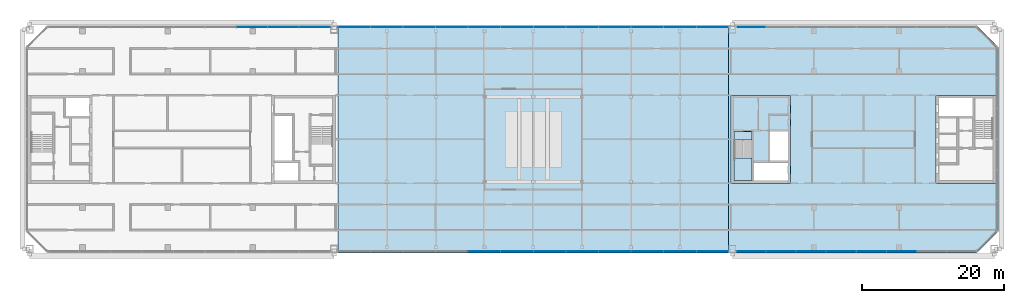
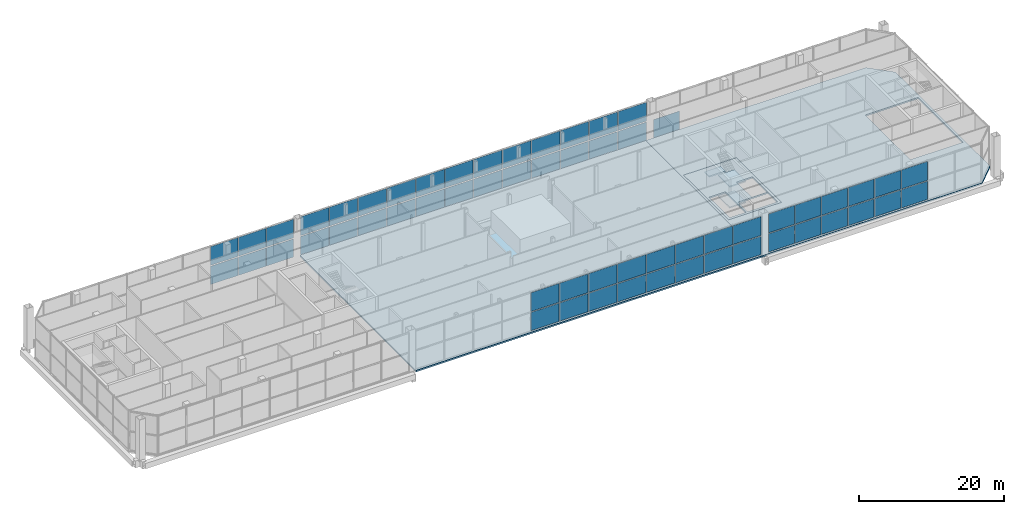
# One storey, part 15 of 27: 59 plates, 6 slabs, 6 elements without a shape of their own.
"""IFC4 building model written with IfcOpenShell, lengths in metres."""

import ifcopenshell
import ifcopenshell.guid

model = None  # the IFC model being written
_history = None  # IfcOwnerHistory: only IFC2X3 demands one
_inside = {}  # id of a spatial element -> (the spatial element, [elements in it])
_under = {}  # id of a project, library or spatial element -> (it, [spatial elements below it])
_declared = {}  # id of a project -> (the project, [libraries it declares])
_typed = {}  # id of a type object -> (the type object, [elements of that type])
_made_of = {}  # id of a material, layer set ... -> (it, [elements and type objects made of it])


def new_model(schema):
    """Start an empty IFC model of exactly this schema.

    Asked for "IFC4X3", IfcOpenShell would pick the latest addendum, in which some entities
    have other attributes; the version numbers below select the first issue.
    IFC2X3 requires an IfcOwnerHistory on every rooted entity: one is made here for all.
    """
    global model, _history
    if schema == "IFC4X3":
        model = ifcopenshell.file(schema_version=(4, 3, 0, 0))
    else:
        model = ifcopenshell.file(schema=schema)
    _inside.clear()
    _under.clear()
    _declared.clear()
    _typed.clear()
    _made_of.clear()
    _history = None
    if model.schema == "IFC2X3":
        org = make("IfcOrganization", Name="unknown")
        user = make(
            "IfcPersonAndOrganization",
            ThePerson=make("IfcPerson", FamilyName="unknown"),
            TheOrganization=org,
        )
        app = make(
            "IfcApplication",
            ApplicationDeveloper=org,
            Version="unknown",
            ApplicationFullName="unknown",
            ApplicationIdentifier="unknown",
        )
        _history = make(
            "IfcOwnerHistory",
            OwningUser=user,
            OwningApplication=app,
            ChangeAction="ADDED",
            CreationDate=0,
        )
    return model


def make(cls, **values):
    """One entity of the class cls with the attributes given. An attribute that is None is left unset."""
    return model.create_entity(
        cls, **{name: value for name, value in values.items() if value is not None}
    )


def rooted(cls, **values):
    """An entity with a GlobalId (a new one), such as an element, a storey or a relation."""
    return make(cls, GlobalId=ifcopenshell.guid.new(), OwnerHistory=_history, **values)


def si_unit(unit_type, name, prefix=None):
    """IfcSIUnit, for example si_unit("LENGTHUNIT", "METRE", prefix="MILLI")."""
    return make("IfcSIUnit", UnitType=unit_type, Prefix=prefix, Name=name)


def assignment(units):
    """IfcUnitAssignment: the units of a project."""
    return None if units is None else make("IfcUnitAssignment", Units=units)


def point(xyz):
    """IfcCartesianPoint."""
    return None if xyz is None else make("IfcCartesianPoint", Coordinates=xyz)


def direction(xyz):
    """IfcDirection."""
    return None if xyz is None else make("IfcDirection", DirectionRatios=xyz)


def frame(location, z_axis=None, x_axis=None):
    """IfcAxis2Placement3D, a coordinate frame: its origin and axes. An axis left out is left unset."""
    return make(
        "IfcAxis2Placement3D",
        Location=point(location),
        Axis=direction(z_axis),
        RefDirection=direction(x_axis),
    )


def frame_2d(location, x_axis=None):
    """IfcAxis2Placement2D, a coordinate frame in the plane: its origin and x axis."""
    return make(
        "IfcAxis2Placement2D", Location=point(location), RefDirection=direction(x_axis)
    )


def origin():
    """The frame at (0, 0, 0) with its axes left unset."""
    return frame((0.0, 0.0, 0.0))


def origin_2d():
    """The frame at (0, 0) in the plane with its x axis left unset."""
    return frame_2d((0.0, 0.0))


def place(relative_to, where):
    """IfcLocalPlacement: puts the frame where relative to a parent placement (None: the world)."""
    return make(
        "IfcLocalPlacement", PlacementRelTo=relative_to, RelativePlacement=where
    )


def context(
    kind, dimensions, precision=None, world=None, true_north=None, identifier=None
):
    """IfcGeometricRepresentationContext, for example the 3D "Model" context."""
    return make(
        "IfcGeometricRepresentationContext",
        ContextIdentifier=identifier,
        ContextType=kind,
        CoordinateSpaceDimension=dimensions,
        Precision=precision,
        WorldCoordinateSystem=world,
        TrueNorth=true_north,
    )


def subcontext(parent, identifier, kind, view, scale=None):
    """IfcGeometricRepresentationSubContext, for example "Body" below "Model"."""
    return make(
        "IfcGeometricRepresentationSubContext",
        ContextIdentifier=identifier,
        ContextType=kind,
        ParentContext=parent,
        TargetScale=scale,
        TargetView=view,
    )


def project(units=None, contexts=None):
    """IfcProject with its units and contexts."""
    return rooted(
        "IfcProject",
        Name="project",
        RepresentationContexts=contexts,
        UnitsInContext=assignment(units),
    )


def spatial(cls, under=None, at=None, **own):
    """A site, building, storey or space (cls), placed at a placement, below another one or the project."""
    s = rooted(cls, ObjectPlacement=at, **own)
    if under is not None:
        _under.setdefault(under.id(), (under, []))[1].append(s)
    return s


def polyline(points):
    """IfcPolyline through the points."""
    return make("IfcPolyline", Points=[point(p) for p in points])


def profile(cls, at=None, kind="AREA", **sizes):
    """A parametric profile (cls). Its sizes go by their IFC names, for example OverallWidth=200.0."""
    return make(cls, ProfileType=kind, Position=at, **sizes)


def rectangle(**sizes):
    """IfcRectangleProfileDef."""
    return profile("IfcRectangleProfileDef", **sizes)


def outline(outer, holes=None, kind="AREA"):
    """IfcArbitraryClosedProfileDef: a profile drawn as a closed curve; with holes, ...WithVoids."""
    if holes is None:
        return make("IfcArbitraryClosedProfileDef", ProfileType=kind, OuterCurve=outer)
    return make(
        "IfcArbitraryProfileDefWithVoids",
        ProfileType=kind,
        OuterCurve=outer,
        InnerCurves=holes,
    )


def extrude(swept, where, along, depth):
    """IfcExtrudedAreaSolid: the profile swept, set in the frame where, extruded along a direction by depth."""
    return make(
        "IfcExtrudedAreaSolid",
        SweptArea=swept,
        Position=where,
        ExtrudedDirection=direction(along),
        Depth=depth,
    )


def shape(context_of_items, identifier, shape_type, items):
    """IfcShapeRepresentation: the items that make up one representation, for example the "Body"."""
    return make(
        "IfcShapeRepresentation",
        ContextOfItems=context_of_items,
        RepresentationIdentifier=identifier,
        RepresentationType=shape_type,
        Items=items,
    )


def material(Name=None, Category=None):
    """IfcMaterial."""
    return make("IfcMaterial", Name=Name, Category=Category)


def layer(
    of_material, thickness, ventilated=None, Name=None, Category=None, Priority=None
):
    """IfcMaterialLayer: one layer of a wall or slab, of a material (None: an air gap)."""
    return make(
        "IfcMaterialLayer",
        Material=of_material,
        LayerThickness=thickness,
        IsVentilated=ventilated,
        Name=Name,
        Category=Category,
        Priority=Priority,
    )


def layer_set(layers, Name=None):
    """IfcMaterialLayerSet."""
    return make("IfcMaterialLayerSet", MaterialLayers=layers, LayerSetName=Name)


def made_of(thing, what):
    """Note that an element or type object is made of a material, layer set ...; save() writes the relation."""
    if what is not None:
        _made_of.setdefault(what.id(), (what, []))[1].append(thing)
    return thing


def type_object(cls, material=None, **own):
    """A type object (cls), such as IfcWallType, which elements share."""
    return made_of(rooted(cls, **own), material)


def element(
    cls,
    number,
    at=None,
    inside=None,
    cuts=None,
    type_object=None,
    material=None,
    context=None,
    identifier="Body",
    shape_type=None,
    held_by="IfcProductDefinitionShape",
    body=None,
    shapes=None,
    **own,
):
    """One element of the class cls, such as IfcWall. Its Tag is "e" and its number.

    at: its placement. inside: the storey or other place that contains it. cuts: it is an
    opening in that element (IfcRelVoidsElement). A single representation is given by context,
    identifier, shape_type and body (its items); several are given by shapes. held_by: the class
    of the entity that holds the representations. save() writes the other relations.
    """
    e = rooted(cls, Tag="e%d" % number, ObjectPlacement=at, **own)
    if body is not None:
        shapes = [shape(context, identifier, shape_type, body)]
    if shapes is not None:
        e.Representation = make(held_by, Representations=shapes)
    if inside is not None:
        _inside.setdefault(inside.id(), (inside, []))[1].append(e)
    if cuts is not None:
        rooted(
            "IfcRelVoidsElement", RelatingBuildingElement=cuts, RelatedOpeningElement=e
        )
    if type_object is not None:
        _typed.setdefault(type_object.id(), (type_object, []))[1].append(e)
    return made_of(e, material)


def aggregate(whole, parts):
    """IfcRelAggregates: a whole, such as a stair, and the parts it consists of."""
    return rooted("IfcRelAggregates", RelatingObject=whole, RelatedObjects=parts)


def save(model, path):
    """Write the relations noted so far, then the file.

    IfcRelAggregates (storeys below a building ...), IfcRelContainedInSpatialStructure (elements
    in a storey), IfcRelDefinesByType, IfcRelAssociatesMaterial and IfcRelDeclares: one each for
    every whole, place, type object, material and project.
    """
    for whole, parts in _under.values():
        aggregate(whole, parts)
    for where, things in _inside.values():
        rooted(
            "IfcRelContainedInSpatialStructure",
            RelatedElements=things,
            RelatingStructure=where,
        )
    for kind, things in _typed.values():
        rooted("IfcRelDefinesByType", RelatedObjects=things, RelatingType=kind)
    for what, things in _made_of.values():
        rooted("IfcRelAssociatesMaterial", RelatedObjects=things, RelatingMaterial=what)
    for by, libraries in _declared.values():
        rooted("IfcRelDeclares", RelatingContext=by, RelatedDefinitions=libraries)
    model.write(path)


model = new_model("IFC4")

# Units and contexts
model_context = context("Model", 3, precision=1e-05, world=origin(), true_north=direction((0.0, 1.0)))
body_context = subcontext(model_context, "Body", "Model", "MODEL_VIEW")
ifc_project = project(units=[si_unit("LENGTHUNIT", "METRE"), si_unit("AREAUNIT", "SQUARE_METRE"), si_unit("VOLUMEUNIT", "CUBIC_METRE"), si_unit("PLANEANGLEUNIT", "RADIAN"), si_unit("MASSUNIT", "GRAM", prefix="KILO")], contexts=[model_context])

# Site, building, storey
site_placement = place(None, origin())
site = spatial("IfcSite", under=ifc_project, at=site_placement, CompositionType="ELEMENT")
building_placement = place(site_placement, origin())
building = spatial("IfcBuilding", under=site, at=building_placement, Name="Tuart Gate Housing", CompositionType="ELEMENT")
storey_placement = place(building_placement, frame((0.0, 0.0, 236.89990234375)))
storey = spatial("IfcBuildingStorey", under=building, at=storey_placement, Name="L67", CompositionType="ELEMENT", Elevation=236.89990234375)

# Slabs
ifc_material_1 = material(Name="Concrete C40", Category="concrete")
ifc_layer_1 = layer(ifc_material_1, 0.25)
ifc_layer_set_1 = layer_set([ifc_layer_1], Name="Core floor slab 250")
slab_type_1 = type_object("IfcSlabType", Name="Core floor slab 250", PredefinedType="FLOOR", material=ifc_layer_set_1)
slab_1_placement = place(storey_placement, frame((0.0, 0.0, -0.25)))
element("IfcSlab", 1, at=slab_1_placement, inside=storey, type_object=slab_type_1, Name="Core floor BG", PredefinedType="FLOOR", context=body_context, shape_type="SweptSolid", body=[
    extrude(outline(polyline([(131.360107421875, 63.800048828125), (139.760009765625, 63.800048828125), (139.760009765625, 76.199951171875), (131.360107421875, 76.199951171875), (131.360107421875, 63.800048828125)]), holes=[polyline([(139.360107421875, 66.85009765625), (134.5849609375, 66.85009765625), (134.5849609375, 64.199951171875), (139.360107421875, 64.199951171875), (139.360107421875, 66.85009765625)]), polyline([(139.360107421875, 71.125), (136.8349609375, 71.125), (136.8349609375, 66.97509765625), (139.360107421875, 66.97509765625), (139.360107421875, 71.125)]), polyline([(134.3349609375, 69.85498046875), (131.760009765625, 69.85498046875), (131.760009765625, 64.199951171875), (134.3349609375, 64.199951171875), (134.3349609375, 69.85498046875)])]), origin(), (0.0, 0.0, 1.0), 0.25),
])
ifc_material_2 = material(Name="Concrete C40", Category="concrete")
ifc_layer_2 = layer(ifc_material_2, 0.25)
ifc_layer_set_2 = layer_set([ifc_layer_2], Name="Flat plate 250")
slab_type_2 = type_object("IfcSlabType", Name="Flat plate 250", PredefinedType="FLOOR", material=ifc_layer_set_2)
slab_2_placement = place(storey_placement, frame((0.0, 0.0, -0.25)))
element("IfcSlab", 2, at=slab_2_placement, inside=storey, type_object=slab_type_2, Name="Floor slab B L67", PredefinedType="FLOOR", context=body_context, shape_type="SweptSolid", body=[
    extrude(outline(polyline([(166.0, 86.0), (131.0, 86.0), (131.0, 54.0), (166.0, 54.0), (169.0, 57.0), (169.0, 83.0), (166.0, 86.0)]), holes=[polyline([(131.360107421875, 76.199951171875), (139.760009765625, 76.199951171875), (139.760009765625, 63.800048828125), (131.360107421875, 63.800048828125), (131.360107421875, 76.199951171875)]), polyline([(168.639892578125, 76.199951171875), (168.639892578125, 63.800048828125), (160.239990234375, 63.800048828125), (160.239990234375, 76.199951171875), (168.639892578125, 76.199951171875)])]), origin(), (0.0, 0.0, 1.0), 0.25),
])
slab_3_placement = place(storey_placement, frame((0.0, 0.0, -0.25)))
element("IfcSlab", 3, at=slab_3_placement, inside=storey, type_object=slab_type_2, Name="Link floor slab L67", PredefinedType="FLOOR", context=body_context, shape_type="SweptSolid", body=[
    extrude(outline(polyline([(76.0, 54.0), (131.0, 54.0), (131.0, 86.0), (76.0, 86.0), (76.0, 54.0)])), origin(), (0.0, 0.0, 1.0), 0.25),
])

# Curtain wall, plates
ifc_material_3 = material(Name="Aluminium and clear glass", Category="aluminium")
curtain_wall_type = type_object("IfcCurtainWallType", Name="Damper floor glazing", PredefinedType="USERDEFINED", material=ifc_material_3)
curtain_wall_1_placement = place(storey_placement, origin())
curtain_wall_1 = element("IfcCurtainWall", 4, at=curtain_wall_1_placement, inside=storey, type_object=curtain_wall_type, Name="Damper floor glazing BLK-S L67", ObjectType="DAMPER FLOOR GLAZING", PredefinedType="USERDEFINED")
ifc_material_4 = material(Name="Glass, damper floor glazing", Category="glass")
ifc_layer_3 = layer(ifc_material_4, 0.028076171875)
ifc_layer_set_3 = layer_set([ifc_layer_3], Name="Glazed panel 28 damper floor")
plate_type = type_object("IfcPlateType", Name="Glazed panel 28 damper floor", PredefinedType="CURTAIN_PANEL", material=ifc_layer_set_3)
plate_1_placement = place(storey_placement, frame((96.612548828125, 54.179931640625, 0.16015625), z_axis=(0.0, 0.0, 1.0), x_axis=(1.0, 0.0, 0.0)))
plate_1 = element("IfcPlate", 5, at=plate_1_placement, type_object=plate_type, Name="CW5 panel 5.1", PredefinedType="CURTAIN_PANEL", context=body_context, shape_type="SweptSolid", body=[
    extrude(rectangle(XDim=4.51171875, YDim=0.028076171875, at=origin_2d()), origin(), (0.0, 0.0, 1.0), 3.06005859375),
])
plate_2_placement = place(storey_placement, frame((96.612548828125, 54.179931640625, 3.38037109375), z_axis=(0.0, 0.0, 1.0), x_axis=(1.0, 0.0, 0.0)))
plate_2 = element("IfcPlate", 6, at=plate_2_placement, type_object=plate_type, Name="CW5 panel 5.2", PredefinedType="CURTAIN_PANEL", context=body_context, shape_type="SweptSolid", body=[
    extrude(rectangle(XDim=4.51171875, YDim=0.028076171875, at=origin_2d()), origin(), (0.0, 0.0, 1.0), 3.159912109375),
])
plate_3_placement = place(storey_placement, frame((101.2041015625, 54.179931640625, 0.16015625), z_axis=(0.0, 0.0, 1.0), x_axis=(1.0, 0.0, 0.0)))
plate_3 = element("IfcPlate", 7, at=plate_3_placement, type_object=plate_type, Name="CW5 panel 6.1", PredefinedType="CURTAIN_PANEL", context=body_context, shape_type="SweptSolid", body=[
    extrude(rectangle(XDim=4.51171875, YDim=0.028076171875, at=origin_2d()), origin(), (0.0, 0.0, 1.0), 3.06005859375),
])
plate_4_placement = place(storey_placement, frame((101.2041015625, 54.179931640625, 3.38037109375), z_axis=(0.0, 0.0, 1.0), x_axis=(1.0, 0.0, 0.0)))
plate_4 = element("IfcPlate", 8, at=plate_4_placement, type_object=plate_type, Name="CW5 panel 6.2", PredefinedType="CURTAIN_PANEL", context=body_context, shape_type="SweptSolid", body=[
    extrude(rectangle(XDim=4.51171875, YDim=0.028076171875, at=origin_2d()), origin(), (0.0, 0.0, 1.0), 3.159912109375),
])
plate_5_placement = place(storey_placement, frame((105.7958984375, 54.179931640625, 0.16015625), z_axis=(0.0, 0.0, 1.0), x_axis=(1.0, 0.0, 0.0)))
plate_5 = element("IfcPlate", 9, at=plate_5_placement, type_object=plate_type, Name="CW5 panel 7.1", PredefinedType="CURTAIN_PANEL", context=body_context, shape_type="SweptSolid", body=[
    extrude(rectangle(XDim=4.51171875, YDim=0.028076171875, at=origin_2d()), origin(), (0.0, 0.0, 1.0), 3.06005859375),
])
plate_6_placement = place(storey_placement, frame((105.7958984375, 54.179931640625, 3.38037109375), z_axis=(0.0, 0.0, 1.0), x_axis=(1.0, 0.0, 0.0)))
plate_6 = element("IfcPlate", 10, at=plate_6_placement, type_object=plate_type, Name="CW5 panel 7.2", PredefinedType="CURTAIN_PANEL", context=body_context, shape_type="SweptSolid", body=[
    extrude(rectangle(XDim=4.51171875, YDim=0.028076171875, at=origin_2d()), origin(), (0.0, 0.0, 1.0), 3.159912109375),
])
plate_7_placement = place(storey_placement, frame((110.387451171875, 54.179931640625, 0.16015625), z_axis=(0.0, 0.0, 1.0), x_axis=(1.0, 0.0, 0.0)))
plate_7 = element("IfcPlate", 11, at=plate_7_placement, type_object=plate_type, Name="CW5 panel 8.1", PredefinedType="CURTAIN_PANEL", context=body_context, shape_type="SweptSolid", body=[
    extrude(rectangle(XDim=4.51171875, YDim=0.028076171875, at=origin_2d()), origin(), (0.0, 0.0, 1.0), 3.06005859375),
])
plate_8_placement = place(storey_placement, frame((110.387451171875, 54.179931640625, 3.38037109375), z_axis=(0.0, 0.0, 1.0), x_axis=(1.0, 0.0, 0.0)))
plate_8 = element("IfcPlate", 12, at=plate_8_placement, type_object=plate_type, Name="CW5 panel 8.2", PredefinedType="CURTAIN_PANEL", context=body_context, shape_type="SweptSolid", body=[
    extrude(rectangle(XDim=4.51171875, YDim=0.028076171875, at=origin_2d()), origin(), (0.0, 0.0, 1.0), 3.159912109375),
])
plate_9_placement = place(storey_placement, frame((114.979248046875, 54.179931640625, 0.16015625), z_axis=(0.0, 0.0, 1.0), x_axis=(1.0, 0.0, 0.0)))
plate_9 = element("IfcPlate", 13, at=plate_9_placement, type_object=plate_type, Name="CW5 panel 9.1", PredefinedType="CURTAIN_PANEL", context=body_context, shape_type="SweptSolid", body=[
    extrude(rectangle(XDim=4.51171875, YDim=0.028076171875, at=origin_2d()), origin(), (0.0, 0.0, 1.0), 3.06005859375),
])
plate_10_placement = place(storey_placement, frame((114.979248046875, 54.179931640625, 3.38037109375), z_axis=(0.0, 0.0, 1.0), x_axis=(1.0, 0.0, 0.0)))
plate_10 = element("IfcPlate", 14, at=plate_10_placement, type_object=plate_type, Name="CW5 panel 9.2", PredefinedType="CURTAIN_PANEL", context=body_context, shape_type="SweptSolid", body=[
    extrude(rectangle(XDim=4.51171875, YDim=0.028076171875, at=origin_2d()), origin(), (0.0, 0.0, 1.0), 3.159912109375),
])
plate_11_placement = place(storey_placement, frame((119.57080078125, 54.179931640625, 0.16015625), z_axis=(0.0, 0.0, 1.0), x_axis=(1.0, 0.0, 0.0)))
plate_11 = element("IfcPlate", 15, at=plate_11_placement, type_object=plate_type, Name="CW5 panel 10.1", PredefinedType="CURTAIN_PANEL", context=body_context, shape_type="SweptSolid", body=[
    extrude(rectangle(XDim=4.51171875, YDim=0.028076171875, at=origin_2d()), origin(), (0.0, 0.0, 1.0), 3.06005859375),
])
plate_12_placement = place(storey_placement, frame((119.57080078125, 54.179931640625, 3.38037109375), z_axis=(0.0, 0.0, 1.0), x_axis=(1.0, 0.0, 0.0)))
plate_12 = element("IfcPlate", 16, at=plate_12_placement, type_object=plate_type, Name="CW5 panel 10.2", PredefinedType="CURTAIN_PANEL", context=body_context, shape_type="SweptSolid", body=[
    extrude(rectangle(XDim=4.51171875, YDim=0.028076171875, at=origin_2d()), origin(), (0.0, 0.0, 1.0), 3.159912109375),
])
plate_13_placement = place(storey_placement, frame((124.16259765625, 54.179931640625, 0.16015625), z_axis=(0.0, 0.0, 1.0), x_axis=(1.0, 0.0, 0.0)))
plate_13 = element("IfcPlate", 17, at=plate_13_placement, type_object=plate_type, Name="CW5 panel 11.1", PredefinedType="CURTAIN_PANEL", context=body_context, shape_type="SweptSolid", body=[
    extrude(rectangle(XDim=4.51171875, YDim=0.028076171875, at=origin_2d()), origin(), (0.0, 0.0, 1.0), 3.06005859375),
])
plate_14_placement = place(storey_placement, frame((124.16259765625, 54.179931640625, 3.38037109375), z_axis=(0.0, 0.0, 1.0), x_axis=(1.0, 0.0, 0.0)))
plate_14 = element("IfcPlate", 18, at=plate_14_placement, type_object=plate_type, Name="CW5 panel 11.2", PredefinedType="CURTAIN_PANEL", context=body_context, shape_type="SweptSolid", body=[
    extrude(rectangle(XDim=4.51171875, YDim=0.028076171875, at=origin_2d()), origin(), (0.0, 0.0, 1.0), 3.159912109375),
])
plate_15_placement = place(storey_placement, frame((128.734130859375, 54.179931640625, 0.16015625), z_axis=(0.0, 0.0, 1.0), x_axis=(1.0, 0.0, 0.0)))
plate_15 = element("IfcPlate", 19, at=plate_15_placement, type_object=plate_type, Name="CW5 panel 12.1", PredefinedType="CURTAIN_PANEL", context=body_context, shape_type="SweptSolid", body=[
    extrude(rectangle(XDim=4.4716796875, YDim=0.028076171875, at=origin_2d()), origin(), (0.0, 0.0, 1.0), 3.06005859375),
])
plate_16_placement = place(storey_placement, frame((128.734130859375, 54.179931640625, 3.38037109375), z_axis=(0.0, 0.0, 1.0), x_axis=(1.0, 0.0, 0.0)))
plate_16 = element("IfcPlate", 20, at=plate_16_placement, type_object=plate_type, Name="CW5 panel 12.2", PredefinedType="CURTAIN_PANEL", context=body_context, shape_type="SweptSolid", body=[
    extrude(rectangle(XDim=4.4716796875, YDim=0.028076171875, at=origin_2d()), origin(), (0.0, 0.0, 1.0), 3.159912109375),
])
aggregate(curtain_wall_1, [plate_1, plate_2, plate_3, plate_4, plate_5, plate_6, plate_7, plate_8, plate_9, plate_10, plate_11, plate_12, plate_13, plate_14, plate_15, plate_16])

curtain_wall_2_placement = place(storey_placement, origin())
curtain_wall_2 = element("IfcCurtainWall", 21, at=curtain_wall_2_placement, inside=storey, type_object=curtain_wall_type, Name="Damper floor glazing BLK-S L67", ObjectType="DAMPER FLOOR GLAZING", PredefinedType="USERDEFINED")
plate_17_placement = place(storey_placement, frame((134.187255859375, 54.179931640625, 0.16015625), z_axis=(0.0, 0.0, 1.0), x_axis=(1.0, 0.0, 0.0)))
plate_17 = element("IfcPlate", 22, at=plate_17_placement, type_object=plate_type, Name="CW5 panel 1.1", PredefinedType="CURTAIN_PANEL", context=body_context, shape_type="SweptSolid", body=[
    extrude(rectangle(XDim=4.114501953125, YDim=0.028076171875, at=origin_2d()), origin(), (0.0, 0.0, 1.0), 3.06005859375),
])
plate_18_placement = place(storey_placement, frame((134.187255859375, 54.179931640625, 3.38037109375), z_axis=(0.0, 0.0, 1.0), x_axis=(1.0, 0.0, 0.0)))
plate_18 = element("IfcPlate", 23, at=plate_18_placement, type_object=plate_type, Name="CW5 panel 1.2", PredefinedType="CURTAIN_PANEL", context=body_context, shape_type="SweptSolid", body=[
    extrude(rectangle(XDim=4.114501953125, YDim=0.028076171875, at=origin_2d()), origin(), (0.0, 0.0, 1.0), 3.159912109375),
])
plate_19_placement = place(storey_placement, frame((138.401611328125, 54.179931640625, 0.16015625), z_axis=(0.0, 0.0, 1.0), x_axis=(1.0, 0.0, 0.0)))
plate_19 = element("IfcPlate", 24, at=plate_19_placement, type_object=plate_type, Name="CW5 panel 2.1", PredefinedType="CURTAIN_PANEL", context=body_context, shape_type="SweptSolid", body=[
    extrude(rectangle(XDim=4.154541015625, YDim=0.028076171875, at=origin_2d()), origin(), (0.0, 0.0, 1.0), 3.06005859375),
])
plate_20_placement = place(storey_placement, frame((138.401611328125, 54.179931640625, 3.38037109375), z_axis=(0.0, 0.0, 1.0), x_axis=(1.0, 0.0, 0.0)))
plate_20 = element("IfcPlate", 25, at=plate_20_placement, type_object=plate_type, Name="CW5 panel 2.2", PredefinedType="CURTAIN_PANEL", context=body_context, shape_type="SweptSolid", body=[
    extrude(rectangle(XDim=4.154541015625, YDim=0.028076171875, at=origin_2d()), origin(), (0.0, 0.0, 1.0), 3.159912109375),
])
plate_21_placement = place(storey_placement, frame((142.635986328125, 54.179931640625, 0.16015625), z_axis=(0.0, 0.0, 1.0), x_axis=(1.0, 0.0, 0.0)))
plate_21 = element("IfcPlate", 26, at=plate_21_placement, type_object=plate_type, Name="CW5 panel 3.1", PredefinedType="CURTAIN_PANEL", context=body_context, shape_type="SweptSolid", body=[
    extrude(rectangle(XDim=4.154541015625, YDim=0.028076171875, at=origin_2d()), origin(), (0.0, 0.0, 1.0), 3.06005859375),
])
plate_22_placement = place(storey_placement, frame((142.635986328125, 54.179931640625, 3.38037109375), z_axis=(0.0, 0.0, 1.0), x_axis=(1.0, 0.0, 0.0)))
plate_22 = element("IfcPlate", 27, at=plate_22_placement, type_object=plate_type, Name="CW5 panel 3.2", PredefinedType="CURTAIN_PANEL", context=body_context, shape_type="SweptSolid", body=[
    extrude(rectangle(XDim=4.154541015625, YDim=0.028076171875, at=origin_2d()), origin(), (0.0, 0.0, 1.0), 3.159912109375),
])
plate_23_placement = place(storey_placement, frame((146.87060546875, 54.179931640625, 0.16015625), z_axis=(0.0, 0.0, 1.0), x_axis=(1.0, 0.0, 0.0)))
plate_23 = element("IfcPlate", 28, at=plate_23_placement, type_object=plate_type, Name="CW5 panel 4.1", PredefinedType="CURTAIN_PANEL", context=body_context, shape_type="SweptSolid", body=[
    extrude(rectangle(XDim=4.154541015625, YDim=0.028076171875, at=origin_2d()), origin(), (0.0, 0.0, 1.0), 3.06005859375),
])
plate_24_placement = place(storey_placement, frame((146.87060546875, 54.179931640625, 3.38037109375), z_axis=(0.0, 0.0, 1.0), x_axis=(1.0, 0.0, 0.0)))
plate_24 = element("IfcPlate", 29, at=plate_24_placement, type_object=plate_type, Name="CW5 panel 4.2", PredefinedType="CURTAIN_PANEL", context=body_context, shape_type="SweptSolid", body=[
    extrude(rectangle(XDim=4.154541015625, YDim=0.028076171875, at=origin_2d()), origin(), (0.0, 0.0, 1.0), 3.159912109375),
])
plate_25_placement = place(storey_placement, frame((151.10498046875, 54.179931640625, 0.16015625), z_axis=(0.0, 0.0, 1.0), x_axis=(1.0, 0.0, 0.0)))
plate_25 = element("IfcPlate", 30, at=plate_25_placement, type_object=plate_type, Name="CW5 panel 5.1", PredefinedType="CURTAIN_PANEL", context=body_context, shape_type="SweptSolid", body=[
    extrude(rectangle(XDim=4.154541015625, YDim=0.028076171875, at=origin_2d()), origin(), (0.0, 0.0, 1.0), 3.06005859375),
])
plate_26_placement = place(storey_placement, frame((151.10498046875, 54.179931640625, 3.38037109375), z_axis=(0.0, 0.0, 1.0), x_axis=(1.0, 0.0, 0.0)))
plate_26 = element("IfcPlate", 31, at=plate_26_placement, type_object=plate_type, Name="CW5 panel 5.2", PredefinedType="CURTAIN_PANEL", context=body_context, shape_type="SweptSolid", body=[
    extrude(rectangle(XDim=4.154541015625, YDim=0.028076171875, at=origin_2d()), origin(), (0.0, 0.0, 1.0), 3.159912109375),
])
plate_27_placement = place(storey_placement, frame((155.33935546875, 54.179931640625, 0.16015625), z_axis=(0.0, 0.0, 1.0), x_axis=(1.0, 0.0, 0.0)))
plate_27 = element("IfcPlate", 32, at=plate_27_placement, type_object=plate_type, Name="CW5 panel 6.1", PredefinedType="CURTAIN_PANEL", context=body_context, shape_type="SweptSolid", body=[
    extrude(rectangle(XDim=4.154541015625, YDim=0.028076171875, at=origin_2d()), origin(), (0.0, 0.0, 1.0), 3.06005859375),
])
plate_28_placement = place(storey_placement, frame((155.33935546875, 54.179931640625, 3.38037109375), z_axis=(0.0, 0.0, 1.0), x_axis=(1.0, 0.0, 0.0)))
plate_28 = element("IfcPlate", 33, at=plate_28_placement, type_object=plate_type, Name="CW5 panel 6.2", PredefinedType="CURTAIN_PANEL", context=body_context, shape_type="SweptSolid", body=[
    extrude(rectangle(XDim=4.154541015625, YDim=0.028076171875, at=origin_2d()), origin(), (0.0, 0.0, 1.0), 3.159912109375),
])
aggregate(curtain_wall_2, [plate_17, plate_18, plate_19, plate_20, plate_21, plate_22, plate_23, plate_24, plate_25, plate_26, plate_27, plate_28])

# Curtain wall, plate
curtain_wall_3_placement = place(storey_placement, origin())
curtain_wall_3 = element("IfcCurtainWall", 34, at=curtain_wall_3_placement, inside=storey, type_object=curtain_wall_type, Name="Damper floor glazing BLK-N L67", ObjectType="DAMPER FLOOR GLAZING", PredefinedType="USERDEFINED")
plate_29_placement = place(storey_placement, frame((134.187255859375, 85.820068359375, 0.16015625), z_axis=(0.0, 0.0, 1.0), x_axis=(-1.0, 0.0, 0.0)))
plate_29 = element("IfcPlate", 35, at=plate_29_placement, type_object=plate_type, Name="CW5 panel 8.1", PredefinedType="CURTAIN_PANEL", context=body_context, shape_type="SweptSolid", body=[
    extrude(rectangle(XDim=4.114501953125, YDim=0.028076171875, at=origin_2d()), origin(), (0.0, 0.0, 1.0), 3.06005859375),
])
aggregate(curtain_wall_3, [plate_29])

# Curtain wall, plates
curtain_wall_4_placement = place(storey_placement, origin())
curtain_wall_4 = element("IfcCurtainWall", 36, at=curtain_wall_4_placement, inside=storey, type_object=curtain_wall_type, Name="Damper floor glazing BLK-N L67", ObjectType="DAMPER FLOOR GLAZING", PredefinedType="USERDEFINED")
plate_30_placement = place(storey_placement, frame((128.734130859375, 85.820068359375, 0.16015625), z_axis=(0.0, 0.0, 1.0), x_axis=(-1.0, 0.0, 0.0)))
plate_30 = element("IfcPlate", 37, at=plate_30_placement, type_object=plate_type, Name="CW5 panel 1.1", PredefinedType="CURTAIN_PANEL", context=body_context, shape_type="SweptSolid", body=[
    extrude(rectangle(XDim=4.4716796875, YDim=0.028076171875, at=origin_2d()), origin(), (0.0, 0.0, 1.0), 3.06005859375),
])
plate_31_placement = place(storey_placement, frame((128.734130859375, 85.820068359375, 3.38037109375), z_axis=(0.0, 0.0, 1.0), x_axis=(-1.0, 0.0, 0.0)))
plate_31 = element("IfcPlate", 38, at=plate_31_placement, type_object=plate_type, Name="CW5 panel 1.2", PredefinedType="CURTAIN_PANEL", context=body_context, shape_type="SweptSolid", body=[
    extrude(rectangle(XDim=4.4716796875, YDim=0.028076171875, at=origin_2d()), origin(), (0.0, 0.0, 1.0), 3.159912109375),
])
plate_32_placement = place(storey_placement, frame((124.16259765625, 85.820068359375, 0.16015625), z_axis=(0.0, 0.0, 1.0), x_axis=(-1.0, 0.0, 0.0)))
plate_32 = element("IfcPlate", 39, at=plate_32_placement, type_object=plate_type, Name="CW5 panel 2.1", PredefinedType="CURTAIN_PANEL", context=body_context, shape_type="SweptSolid", body=[
    extrude(rectangle(XDim=4.51171875, YDim=0.028076171875, at=origin_2d()), origin(), (0.0, 0.0, 1.0), 3.06005859375),
])
plate_33_placement = place(storey_placement, frame((124.16259765625, 85.820068359375, 3.38037109375), z_axis=(0.0, 0.0, 1.0), x_axis=(-1.0, 0.0, 0.0)))
plate_33 = element("IfcPlate", 40, at=plate_33_placement, type_object=plate_type, Name="CW5 panel 2.2", PredefinedType="CURTAIN_PANEL", context=body_context, shape_type="SweptSolid", body=[
    extrude(rectangle(XDim=4.51171875, YDim=0.028076171875, at=origin_2d()), origin(), (0.0, 0.0, 1.0), 3.159912109375),
])
plate_34_placement = place(storey_placement, frame((119.57080078125, 85.820068359375, 0.16015625), z_axis=(0.0, 0.0, 1.0), x_axis=(-1.0, 0.0, 0.0)))
plate_34 = element("IfcPlate", 41, at=plate_34_placement, type_object=plate_type, Name="CW5 panel 3.1", PredefinedType="CURTAIN_PANEL", context=body_context, shape_type="SweptSolid", body=[
    extrude(rectangle(XDim=4.51171875, YDim=0.028076171875, at=origin_2d()), origin(), (0.0, 0.0, 1.0), 3.06005859375),
])
plate_35_placement = place(storey_placement, frame((119.57080078125, 85.820068359375, 3.38037109375), z_axis=(0.0, 0.0, 1.0), x_axis=(-1.0, 0.0, 0.0)))
plate_35 = element("IfcPlate", 42, at=plate_35_placement, type_object=plate_type, Name="CW5 panel 3.2", PredefinedType="CURTAIN_PANEL", context=body_context, shape_type="SweptSolid", body=[
    extrude(rectangle(XDim=4.51171875, YDim=0.028076171875, at=origin_2d()), origin(), (0.0, 0.0, 1.0), 3.159912109375),
])
plate_36_placement = place(storey_placement, frame((114.979248046875, 85.820068359375, 0.16015625), z_axis=(0.0, 0.0, 1.0), x_axis=(-1.0, 0.0, 0.0)))
plate_36 = element("IfcPlate", 43, at=plate_36_placement, type_object=plate_type, Name="CW5 panel 4.1", PredefinedType="CURTAIN_PANEL", context=body_context, shape_type="SweptSolid", body=[
    extrude(rectangle(XDim=4.51171875, YDim=0.028076171875, at=origin_2d()), origin(), (0.0, 0.0, 1.0), 3.06005859375),
])
plate_37_placement = place(storey_placement, frame((114.979248046875, 85.820068359375, 3.38037109375), z_axis=(0.0, 0.0, 1.0), x_axis=(-1.0, 0.0, 0.0)))
plate_37 = element("IfcPlate", 44, at=plate_37_placement, type_object=plate_type, Name="CW5 panel 4.2", PredefinedType="CURTAIN_PANEL", context=body_context, shape_type="SweptSolid", body=[
    extrude(rectangle(XDim=4.51171875, YDim=0.028076171875, at=origin_2d()), origin(), (0.0, 0.0, 1.0), 3.159912109375),
])
plate_38_placement = place(storey_placement, frame((110.387451171875, 85.820068359375, 0.16015625), z_axis=(0.0, 0.0, 1.0), x_axis=(-1.0, 0.0, 0.0)))
plate_38 = element("IfcPlate", 45, at=plate_38_placement, type_object=plate_type, Name="CW5 panel 5.1", PredefinedType="CURTAIN_PANEL", context=body_context, shape_type="SweptSolid", body=[
    extrude(rectangle(XDim=4.51171875, YDim=0.028076171875, at=origin_2d()), origin(), (0.0, 0.0, 1.0), 3.06005859375),
])
plate_39_placement = place(storey_placement, frame((110.387451171875, 85.820068359375, 3.38037109375), z_axis=(0.0, 0.0, 1.0), x_axis=(-1.0, 0.0, 0.0)))
plate_39 = element("IfcPlate", 46, at=plate_39_placement, type_object=plate_type, Name="CW5 panel 5.2", PredefinedType="CURTAIN_PANEL", context=body_context, shape_type="SweptSolid", body=[
    extrude(rectangle(XDim=4.51171875, YDim=0.028076171875, at=origin_2d()), origin(), (0.0, 0.0, 1.0), 3.159912109375),
])
plate_40_placement = place(storey_placement, frame((105.7958984375, 85.820068359375, 0.16015625), z_axis=(0.0, 0.0, 1.0), x_axis=(-1.0, 0.0, 0.0)))
plate_40 = element("IfcPlate", 47, at=plate_40_placement, type_object=plate_type, Name="CW5 panel 6.1", PredefinedType="CURTAIN_PANEL", context=body_context, shape_type="SweptSolid", body=[
    extrude(rectangle(XDim=4.51171875, YDim=0.028076171875, at=origin_2d()), origin(), (0.0, 0.0, 1.0), 3.06005859375),
])
plate_41_placement = place(storey_placement, frame((105.7958984375, 85.820068359375, 3.38037109375), z_axis=(0.0, 0.0, 1.0), x_axis=(-1.0, 0.0, 0.0)))
plate_41 = element("IfcPlate", 48, at=plate_41_placement, type_object=plate_type, Name="CW5 panel 6.2", PredefinedType="CURTAIN_PANEL", context=body_context, shape_type="SweptSolid", body=[
    extrude(rectangle(XDim=4.51171875, YDim=0.028076171875, at=origin_2d()), origin(), (0.0, 0.0, 1.0), 3.159912109375),
])
plate_42_placement = place(storey_placement, frame((101.2041015625, 85.820068359375, 0.16015625), z_axis=(0.0, 0.0, 1.0), x_axis=(-1.0, 0.0, 0.0)))
plate_42 = element("IfcPlate", 49, at=plate_42_placement, type_object=plate_type, Name="CW5 panel 7.1", PredefinedType="CURTAIN_PANEL", context=body_context, shape_type="SweptSolid", body=[
    extrude(rectangle(XDim=4.51171875, YDim=0.028076171875, at=origin_2d()), origin(), (0.0, 0.0, 1.0), 3.06005859375),
])
plate_43_placement = place(storey_placement, frame((101.2041015625, 85.820068359375, 3.38037109375), z_axis=(0.0, 0.0, 1.0), x_axis=(-1.0, 0.0, 0.0)))
plate_43 = element("IfcPlate", 50, at=plate_43_placement, type_object=plate_type, Name="CW5 panel 7.2", PredefinedType="CURTAIN_PANEL", context=body_context, shape_type="SweptSolid", body=[
    extrude(rectangle(XDim=4.51171875, YDim=0.028076171875, at=origin_2d()), origin(), (0.0, 0.0, 1.0), 3.159912109375),
])
plate_44_placement = place(storey_placement, frame((96.612548828125, 85.820068359375, 0.16015625), z_axis=(0.0, 0.0, 1.0), x_axis=(-1.0, 0.0, 0.0)))
plate_44 = element("IfcPlate", 51, at=plate_44_placement, type_object=plate_type, Name="CW5 panel 8.1", PredefinedType="CURTAIN_PANEL", context=body_context, shape_type="SweptSolid", body=[
    extrude(rectangle(XDim=4.51171875, YDim=0.028076171875, at=origin_2d()), origin(), (0.0, 0.0, 1.0), 3.06005859375),
])
plate_45_placement = place(storey_placement, frame((96.612548828125, 85.820068359375, 3.38037109375), z_axis=(0.0, 0.0, 1.0), x_axis=(-1.0, 0.0, 0.0)))
plate_45 = element("IfcPlate", 52, at=plate_45_placement, type_object=plate_type, Name="CW5 panel 8.2", PredefinedType="CURTAIN_PANEL", context=body_context, shape_type="SweptSolid", body=[
    extrude(rectangle(XDim=4.51171875, YDim=0.028076171875, at=origin_2d()), origin(), (0.0, 0.0, 1.0), 3.159912109375),
])
plate_46_placement = place(storey_placement, frame((92.020751953125, 85.820068359375, 0.16015625), z_axis=(0.0, 0.0, 1.0), x_axis=(-1.0, 0.0, 0.0)))
plate_46 = element("IfcPlate", 53, at=plate_46_placement, type_object=plate_type, Name="CW5 panel 9.1", PredefinedType="CURTAIN_PANEL", context=body_context, shape_type="SweptSolid", body=[
    extrude(rectangle(XDim=4.51171875, YDim=0.028076171875, at=origin_2d()), origin(), (0.0, 0.0, 1.0), 3.06005859375),
])
plate_47_placement = place(storey_placement, frame((92.020751953125, 85.820068359375, 3.38037109375), z_axis=(0.0, 0.0, 1.0), x_axis=(-1.0, 0.0, 0.0)))
plate_47 = element("IfcPlate", 54, at=plate_47_placement, type_object=plate_type, Name="CW5 panel 9.2", PredefinedType="CURTAIN_PANEL", context=body_context, shape_type="SweptSolid", body=[
    extrude(rectangle(XDim=4.51171875, YDim=0.028076171875, at=origin_2d()), origin(), (0.0, 0.0, 1.0), 3.159912109375),
])
plate_48_placement = place(storey_placement, frame((87.42919921875, 85.820068359375, 0.16015625), z_axis=(0.0, 0.0, 1.0), x_axis=(-1.0, 0.0, 0.0)))
plate_48 = element("IfcPlate", 55, at=plate_48_placement, type_object=plate_type, Name="CW5 panel 10.1", PredefinedType="CURTAIN_PANEL", context=body_context, shape_type="SweptSolid", body=[
    extrude(rectangle(XDim=4.51171875, YDim=0.028076171875, at=origin_2d()), origin(), (0.0, 0.0, 1.0), 3.06005859375),
])
plate_49_placement = place(storey_placement, frame((87.42919921875, 85.820068359375, 3.38037109375), z_axis=(0.0, 0.0, 1.0), x_axis=(-1.0, 0.0, 0.0)))
plate_49 = element("IfcPlate", 56, at=plate_49_placement, type_object=plate_type, Name="CW5 panel 10.2", PredefinedType="CURTAIN_PANEL", context=body_context, shape_type="SweptSolid", body=[
    extrude(rectangle(XDim=4.51171875, YDim=0.028076171875, at=origin_2d()), origin(), (0.0, 0.0, 1.0), 3.159912109375),
])
plate_50_placement = place(storey_placement, frame((82.83740234375, 85.820068359375, 0.16015625), z_axis=(0.0, 0.0, 1.0), x_axis=(-1.0, 0.0, 0.0)))
plate_50 = element("IfcPlate", 57, at=plate_50_placement, type_object=plate_type, Name="CW5 panel 11.1", PredefinedType="CURTAIN_PANEL", context=body_context, shape_type="SweptSolid", body=[
    extrude(rectangle(XDim=4.51171875, YDim=0.028076171875, at=origin_2d()), origin(), (0.0, 0.0, 1.0), 3.06005859375),
])
plate_51_placement = place(storey_placement, frame((82.83740234375, 85.820068359375, 3.38037109375), z_axis=(0.0, 0.0, 1.0), x_axis=(-1.0, 0.0, 0.0)))
plate_51 = element("IfcPlate", 58, at=plate_51_placement, type_object=plate_type, Name="CW5 panel 11.2", PredefinedType="CURTAIN_PANEL", context=body_context, shape_type="SweptSolid", body=[
    extrude(rectangle(XDim=4.51171875, YDim=0.028076171875, at=origin_2d()), origin(), (0.0, 0.0, 1.0), 3.159912109375),
])
plate_52_placement = place(storey_placement, frame((78.265869140625, 85.820068359375, 0.16015625), z_axis=(0.0, 0.0, 1.0), x_axis=(-1.0, 0.0, 0.0)))
plate_52 = element("IfcPlate", 59, at=plate_52_placement, type_object=plate_type, Name="CW5 panel 12.1", PredefinedType="CURTAIN_PANEL", context=body_context, shape_type="SweptSolid", body=[
    extrude(rectangle(XDim=4.4716796875, YDim=0.028076171875, at=origin_2d()), origin(), (0.0, 0.0, 1.0), 3.06005859375),
])
plate_53_placement = place(storey_placement, frame((78.265869140625, 85.820068359375, 3.38037109375), z_axis=(0.0, 0.0, 1.0), x_axis=(-1.0, 0.0, 0.0)))
plate_53 = element("IfcPlate", 60, at=plate_53_placement, type_object=plate_type, Name="CW5 panel 12.2", PredefinedType="CURTAIN_PANEL", context=body_context, shape_type="SweptSolid", body=[
    extrude(rectangle(XDim=4.4716796875, YDim=0.028076171875, at=origin_2d()), origin(), (0.0, 0.0, 1.0), 3.159912109375),
])
aggregate(curtain_wall_4, [plate_30, plate_31, plate_32, plate_33, plate_34, plate_35, plate_36, plate_37, plate_38, plate_39, plate_40, plate_41, plate_42, plate_43, plate_44, plate_45, plate_46, plate_47, plate_48, plate_49, plate_50, plate_51, plate_52, plate_53])

curtain_wall_5_placement = place(storey_placement, origin())
curtain_wall_5 = element("IfcCurtainWall", 61, at=curtain_wall_5_placement, inside=storey, type_object=curtain_wall_type, Name="Damper floor glazing BLK-N L67", ObjectType="DAMPER FLOOR GLAZING", PredefinedType="USERDEFINED")
plate_54_placement = place(storey_placement, frame((72.714599609375, 85.820068359375, 0.16015625), z_axis=(0.0, 0.0, 1.0), x_axis=(-1.0, 0.0, 0.0)))
plate_54 = element("IfcPlate", 62, at=plate_54_placement, type_object=plate_type, Name="CW5 panel 1.1", PredefinedType="CURTAIN_PANEL", context=body_context, shape_type="SweptSolid", body=[
    extrude(rectangle(XDim=4.310546875, YDim=0.028076171875, at=origin_2d()), origin(), (0.0, 0.0, 1.0), 3.06005859375),
])
plate_55_placement = place(storey_placement, frame((72.714599609375, 85.820068359375, 3.38037109375), z_axis=(0.0, 0.0, 1.0), x_axis=(-1.0, 0.0, 0.0)))
plate_55 = element("IfcPlate", 63, at=plate_55_placement, type_object=plate_type, Name="CW5 panel 1.2", PredefinedType="CURTAIN_PANEL", context=body_context, shape_type="SweptSolid", body=[
    extrude(rectangle(XDim=4.310546875, YDim=0.028076171875, at=origin_2d()), origin(), (0.0, 0.0, 1.0), 3.159912109375),
])
plate_56_placement = place(storey_placement, frame((68.30419921875, 85.820068359375, 0.16015625), z_axis=(0.0, 0.0, 1.0), x_axis=(-1.0, 0.0, 0.0)))
plate_56 = element("IfcPlate", 64, at=plate_56_placement, type_object=plate_type, Name="CW5 panel 2.1", PredefinedType="CURTAIN_PANEL", context=body_context, shape_type="SweptSolid", body=[
    extrude(rectangle(XDim=4.3505859375, YDim=0.028076171875, at=origin_2d()), origin(), (0.0, 0.0, 1.0), 3.06005859375),
])
plate_57_placement = place(storey_placement, frame((68.30419921875, 85.820068359375, 3.38037109375), z_axis=(0.0, 0.0, 1.0), x_axis=(-1.0, 0.0, 0.0)))
plate_57 = element("IfcPlate", 65, at=plate_57_placement, type_object=plate_type, Name="CW5 panel 2.2", PredefinedType="CURTAIN_PANEL", context=body_context, shape_type="SweptSolid", body=[
    extrude(rectangle(XDim=4.3505859375, YDim=0.028076171875, at=origin_2d()), origin(), (0.0, 0.0, 1.0), 3.159912109375),
])
plate_58_placement = place(storey_placement, frame((63.87353515625, 85.820068359375, 0.16015625), z_axis=(0.0, 0.0, 1.0), x_axis=(-1.0, 0.0, 0.0)))
plate_58 = element("IfcPlate", 66, at=plate_58_placement, type_object=plate_type, Name="CW5 panel 3.1", PredefinedType="CURTAIN_PANEL", context=body_context, shape_type="SweptSolid", body=[
    extrude(rectangle(XDim=4.3505859375, YDim=0.028076171875, at=origin_2d()), origin(), (0.0, 0.0, 1.0), 3.06005859375),
])
plate_59_placement = place(storey_placement, frame((63.87353515625, 85.820068359375, 3.38037109375), z_axis=(0.0, 0.0, 1.0), x_axis=(-1.0, 0.0, 0.0)))
plate_59 = element("IfcPlate", 67, at=plate_59_placement, type_object=plate_type, Name="CW5 panel 3.2", PredefinedType="CURTAIN_PANEL", context=body_context, shape_type="SweptSolid", body=[
    extrude(rectangle(XDim=4.3505859375, YDim=0.028076171875, at=origin_2d()), origin(), (0.0, 0.0, 1.0), 3.159912109375),
])
aggregate(curtain_wall_5, [plate_54, plate_55, plate_56, plate_57, plate_58, plate_59])

# Stair, slabs
ifc_material_5 = material(Name="Concrete C40", Category="concrete")
stair_type = type_object("IfcStairType", Name="Core stair 1250", PredefinedType="HALF_TURN_STAIR", material=ifc_material_5)
stair_placement = place(storey_placement, origin())
stair = element("IfcStair", 68, at=stair_placement, inside=storey, type_object=stair_type, Name="Stair SB1", PredefinedType="HALF_TURN_STAIR")
ifc_material_6 = material(Name="Concrete C40", Category="concrete")
ifc_layer_4 = layer(ifc_material_6, 0.199951171875)
ifc_layer_set_4 = layer_set([ifc_layer_4], Name="Stair landing 200")
slab_type_3 = type_object("IfcSlabType", Name="Stair landing 200", PredefinedType="LANDING", material=ifc_layer_set_4)
slab_4_placement = place(storey_placement, frame((0.0, 0.0, 1.550048828125)))
slab_4 = element("IfcSlab", 69, at=slab_4_placement, type_object=slab_type_3, Name="SB1 landing 1", PredefinedType="LANDING", context=body_context, shape_type="SweptSolid", body=[
    extrude(outline(polyline([(134.3349609375, 67.35498046875), (131.760009765625, 67.35498046875), (131.760009765625, 64.199951171875), (134.3349609375, 64.199951171875), (134.3349609375, 67.35498046875)])), origin(), (0.0, 0.0, 1.0), 0.199951171875),
])
slab_5_placement = place(storey_placement, frame((0.0, 0.0, 3.300048828125)))
slab_5 = element("IfcSlab", 70, at=slab_5_placement, type_object=slab_type_3, Name="SB1 landing 2", PredefinedType="LANDING", context=body_context, shape_type="SweptSolid", body=[
    extrude(outline(polyline([(131.760009765625, 71.125), (131.760009765625, 69.875), (134.3349609375, 69.875), (134.3349609375, 71.125), (131.760009765625, 71.125)])), origin(), (0.0, 0.0, 1.0), 0.199951171875),
])
slab_6_placement = place(storey_placement, frame((0.0, 0.0, 5.050048828125)))
slab_6 = element("IfcSlab", 71, at=slab_6_placement, type_object=slab_type_3, Name="SB1 landing 3", PredefinedType="LANDING", context=body_context, shape_type="SweptSolid", body=[
    extrude(outline(polyline([(134.3349609375, 67.35498046875), (131.760009765625, 67.35498046875), (131.760009765625, 64.199951171875), (134.3349609375, 64.199951171875), (134.3349609375, 67.35498046875)])), origin(), (0.0, 0.0, 1.0), 0.199951171875),
])
aggregate(stair, [slab_4, slab_5, slab_6])

save(model, "model.ifc")
